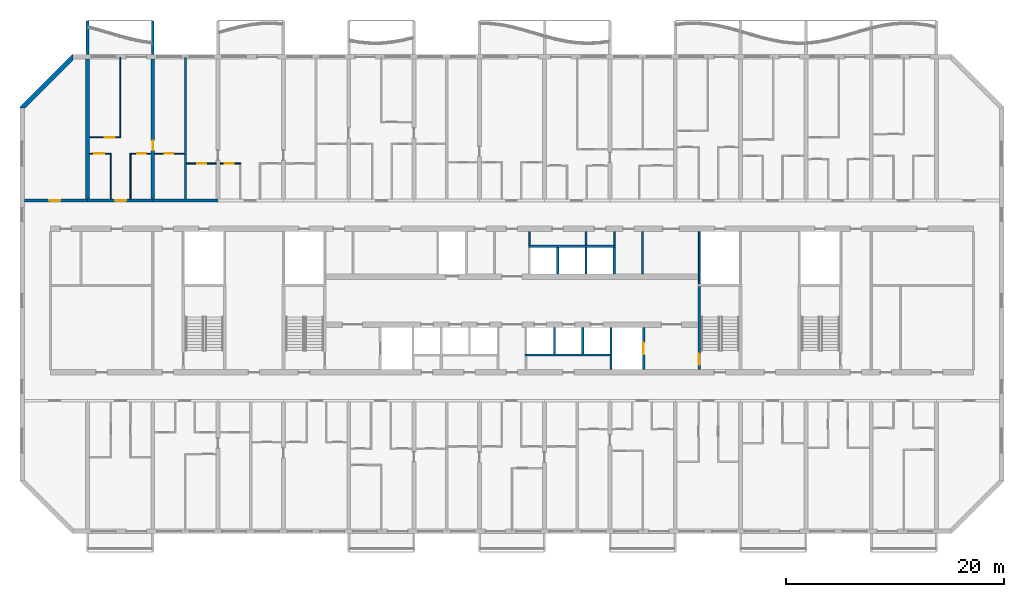
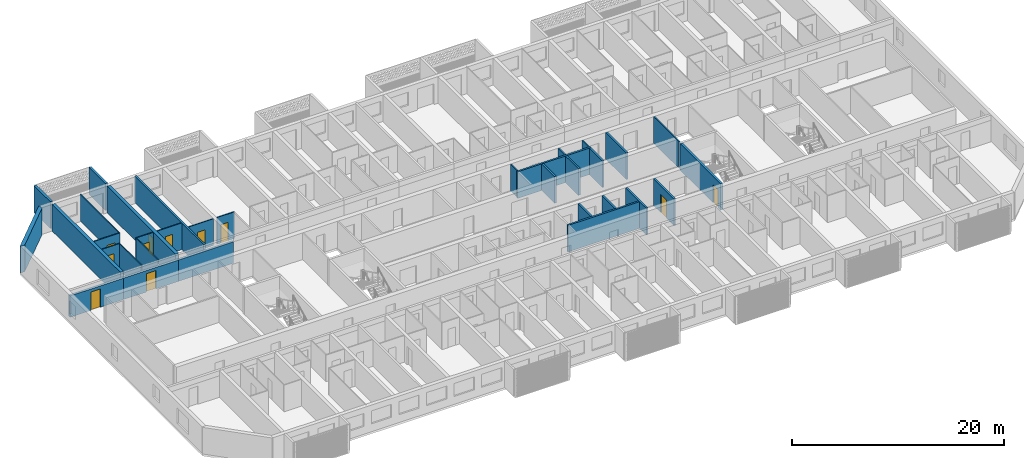
# One storey, part 9 of 30: 33 walls, 11 doors, 11 openings.
"""IFC4 building model written with IfcOpenShell, lengths in metres."""

from ifc_helpers import new_model, si_unit, direction, frame, frame_2d, origin, place, context, subcontext, project, spatial, polyline, rectangle, outline, extrude, source, transform, mapped, material, layer, layer_set, type_object, element, fill, save


model = new_model("IFC4")

# Units and contexts
model_context = context("Model", 3, precision=1e-05, world=origin(), true_north=direction((0.0, 1.0)))
body_context = subcontext(model_context, "Body", "Model", "MODEL_VIEW")
ifc_project = project(units=[si_unit("LENGTHUNIT", "METRE"), si_unit("AREAUNIT", "SQUARE_METRE"), si_unit("VOLUMEUNIT", "CUBIC_METRE"), si_unit("PLANEANGLEUNIT", "RADIAN"), si_unit("MASSUNIT", "GRAM", prefix="KILO")], contexts=[model_context])

# Site, building, storey
site_placement = place(None, origin())
site = spatial("IfcSite", under=ifc_project, at=site_placement, CompositionType="ELEMENT")
building_placement = place(site_placement, origin())
building = spatial("IfcBuilding", under=site, at=building_placement, Name="Poui Terraces", CompositionType="ELEMENT")
storey_placement = place(building_placement, frame((0.0, 0.0, 99.300048828125)))
storey = spatial("IfcBuildingStorey", under=building, at=storey_placement, Name="L27", CompositionType="ELEMENT", Elevation=99.300048828125)

# Wall
ifc_material_1 = material(Name="Fire-rated plasterboard wall")
ifc_layer_1 = layer(ifc_material_1, 0.14990234375)
ifc_layer_set_1 = layer_set([ifc_layer_1], Name="Fire-rated plasterboard wall")
wall_type_1 = type_object("IfcWallType", Name="CORRIDOR WALL 150", PredefinedType="PARTITIONING", material=ifc_layer_set_1)
wall_1_placement = place(storey_placement, frame((52.60009765625, 26.300048828125, 0.0), z_axis=(0.0, 0.0, 1.0), x_axis=(0.0, 1.0, 0.0)))
element("IfcWall", 1, at=wall_1_placement, inside=storey, type_object=wall_type_1, Name="CORRIDOR WALL 150", PredefinedType="PARTITIONING", context=body_context, shape_type="SweptSolid", body=[
    extrude(rectangle(XDim=1.239990234375, YDim=0.14990234375, at=frame_2d((0.6201171875, 0.0))), origin(), (0.0, 0.0, 1.0), 3.06005859375),
])

# Wall, opening, door
ifc_material_2 = material(Name="Concrete 65 MPa", Category="concrete")
ifc_layer_2 = layer(ifc_material_2, 0.25)
ifc_layer_set_2 = layer_set([ifc_layer_2], Name="Concrete 65 MPa")
wall_type_2 = type_object("IfcWallType", Name="CORRIDOR WALL 250 65MPa", PredefinedType="SHEAR", material=ifc_layer_set_2)
wall_2_placement = place(storey_placement, frame((6.199951171875, 30.39990234375, 0.0), z_axis=(0.0, 0.0, 1.0), x_axis=(1.0, 0.0, 0.0)))
wall_2 = element("IfcWall", 2, at=wall_2_placement, inside=storey, type_object=wall_type_2, Name="CORRIDOR WALL LINE E BAY 1", PredefinedType="SHEAR", context=body_context, shape_type="SweptSolid", body=[
    extrude(rectangle(XDim=5.800048828125, YDim=0.25, at=frame_2d((2.89990234375, 0.0))), origin(), (0.0, 0.0, 1.0), 2.4599609375),
])
opening_1_placement = place(wall_2_placement, frame((2.300048828125, 0.0, 0.0)))
opening_1 = element("IfcOpeningElement", 3, at=opening_1_placement, cuts=wall_2, Name="Opening D100", PredefinedType="OPENING", context=body_context, shape_type="SweptSolid", body=[
    extrude(rectangle(XDim=1.0, YDim=2.10009765625, at=frame_2d((0.5, 1.050048828125))), frame((0.0, 0.135009765625, 0.0), z_axis=(0.0, -1.0, 0.0), x_axis=(1.0, 0.0, 0.0)), (0.0, 0.0, 1.0), 0.27001953125),
])
ifc_material_3 = material(Name="Solid core timber door", Category="wood")
door_type_1 = type_object("IfcDoorType", Name="ACCESSIBLE INTERNAL DOOR 1000 X 2100", OperationType="NOTDEFINED", PredefinedType="DOOR", material=ifc_material_3)
door_1_placement = place(opening_1_placement, origin())
door_1 = element("IfcDoor", 4, at=door_1_placement, inside=storey, type_object=door_type_1, Name="ACCESSIBLE INTERNAL DOOR 031", OperationType="SINGLE_SWING_LEFT", OverallHeight=2.10009765625, OverallWidth=1.0, PredefinedType="DOOR", context=body_context, shape_type="SweptSolid", body=[
    extrude(rectangle(XDim=1.0, YDim=2.10009765625, at=frame_2d((0.5, 1.050048828125))), frame((0.0, 0.02490234375, 0.0), z_axis=(0.0, -1.0, 0.0), x_axis=(1.0, 0.0, 0.0)), (0.0, 0.0, 1.0), 0.050048828125),
])
fill(opening_1, door_1)

wall_3_placement = place(storey_placement, frame((12.0, 30.39990234375, 0.0), z_axis=(0.0, 0.0, 1.0), x_axis=(1.0, 0.0, 0.0)))
wall_3 = element("IfcWall", 5, at=wall_3_placement, inside=storey, type_object=wall_type_2, Name="CORRIDOR WALL LINE E BAY 2", PredefinedType="SHEAR", context=body_context, shape_type="SweptSolid", body=[
    extrude(rectangle(XDim=6.0, YDim=0.25, at=frame_2d((3.0, 0.0))), origin(), (0.0, 0.0, 1.0), 2.4599609375),
])
opening_2_placement = place(wall_3_placement, frame((2.550048828125, 0.0, 0.0)))
opening_2 = element("IfcOpeningElement", 6, at=opening_2_placement, cuts=wall_3, Name="Opening FD30S", PredefinedType="OPENING", context=body_context, shape_type="SweptSolid", body=[
    extrude(rectangle(XDim=1.0, YDim=2.10009765625, at=frame_2d((0.5, 1.050048828125))), frame((0.0, 0.135009765625, 0.0), z_axis=(0.0, -1.0, 0.0), x_axis=(1.0, 0.0, 0.0)), (0.0, 0.0, 1.0), 0.27001953125),
])
ifc_material_4 = material(Name="Steel fire door", Category="steel")
door_type_2 = type_object("IfcDoorType", Name="FLAT ENTRANCE DOOR 1000 X 2100", OperationType="NOTDEFINED", PredefinedType="DOOR", material=ifc_material_4)
door_2_placement = place(opening_2_placement, origin())
door_2 = element("IfcDoor", 7, at=door_2_placement, inside=storey, type_object=door_type_2, Name="FLAT ENTRANCE DOOR 035", OperationType="SINGLE_SWING_RIGHT", OverallHeight=2.10009765625, OverallWidth=1.0, PredefinedType="DOOR", context=body_context, shape_type="SweptSolid", body=[
    extrude(rectangle(XDim=1.0, YDim=2.10009765625, at=frame_2d((0.5, 1.050048828125))), frame((0.0, 0.02490234375, 0.0), z_axis=(0.0, -1.0, 0.0), x_axis=(1.0, 0.0, 0.0)), (0.0, 0.0, 1.0), 0.050048828125),
])
fill(opening_2, door_2)

# Walls
wall_4_placement = place(storey_placement, frame((18.0, 30.39990234375, 0.0), z_axis=(0.0, 0.0, 1.0), x_axis=(1.0, 0.0, 0.0)))
element("IfcWall", 8, at=wall_4_placement, inside=storey, type_object=wall_type_2, Name="CORRIDOR WALL LINE E BAY 3", PredefinedType="SHEAR", context=body_context, shape_type="SweptSolid", body=[
    extrude(rectangle(XDim=6.0, YDim=0.25, at=frame_2d((3.0, 0.0))), origin(), (0.0, 0.0, 1.0), 2.4599609375),
])
ifc_layer_3 = layer(ifc_material_2, 0.35009765625)
ifc_layer_set_3 = layer_set([ifc_layer_3], Name="Concrete 65 MPa")
wall_type_3 = type_object("IfcWallType", Name="CROSS WALL 350 65MPa", PredefinedType="SHEAR", material=ifc_layer_set_3)
wall_5_placement = place(storey_placement, frame((12.0, 30.52490234375, 0.0), z_axis=(0.0, 0.0, 1.0), x_axis=(0.0, 1.0, 0.0)))
element("IfcWall", 9, at=wall_5_placement, inside=storey, type_object=wall_type_3, Name="CROSS WALL LINE 3 NORTH", PredefinedType="SHEAR", context=body_context, shape_type="SweptSolid", body=[
    extrude(rectangle(XDim=12.875, YDim=0.35009765625, at=frame_2d((6.4375, 0.0))), origin(), (0.0, 0.0, 1.0), 3.06005859375),
])

# Wall, opening, door
wall_6_placement = place(storey_placement, frame((18.0, 30.52490234375, 0.0), z_axis=(0.0, 0.0, 1.0), x_axis=(0.0, 1.0, 0.0)))
wall_6 = element("IfcWall", 10, at=wall_6_placement, inside=storey, type_object=wall_type_3, Name="CROSS WALL LINE 4 NORTH", PredefinedType="SHEAR", context=body_context, shape_type="SweptSolid", body=[
    extrude(rectangle(XDim=12.875, YDim=0.35009765625, at=frame_2d((6.4375, 0.0))), origin(), (0.0, 0.0, 1.0), 3.06005859375),
])
opening_3_placement = place(wall_6_placement, frame((4.47509765625, 0.0, 0.0)))
opening_3 = element("IfcOpeningElement", 11, at=opening_3_placement, cuts=wall_6, Name="Opening D90", PredefinedType="OPENING", context=body_context, shape_type="SweptSolid", body=[
    extrude(rectangle(XDim=0.89990234375, YDim=2.10009765625, at=frame_2d((0.449951171875, 1.050048828125))), frame((0.0, 0.18505859375, 0.0), z_axis=(0.0, -1.0, 0.0), x_axis=(1.0, 0.0, 0.0)), (0.0, 0.0, 1.0), 0.3701171875),
])
door_type_3 = type_object("IfcDoorType", Name="INTERNAL DOOR 900 X 2100", OperationType="NOTDEFINED", PredefinedType="DOOR", material=ifc_material_3)
door_3_placement = place(opening_3_placement, frame((0.89990234375, 0.0, 0.0), z_axis=(0.0, 0.0, 1.0), x_axis=(-1.0, 0.0, 0.0)))
door_3 = element("IfcDoor", 12, at=door_3_placement, inside=storey, type_object=door_type_3, Name="INTERNAL DOOR 037", OperationType="SINGLE_SWING_RIGHT", OverallHeight=2.10009765625, OverallWidth=0.89990234375, PredefinedType="DOOR", context=body_context, shape_type="SweptSolid", body=[
    extrude(rectangle(XDim=0.89990234375, YDim=2.10009765625, at=frame_2d((0.449951171875, 1.050048828125))), frame((0.0, 0.02490234375, 0.0), z_axis=(0.0, -1.0, 0.0), x_axis=(1.0, 0.0, 0.0)), (0.0, 0.0, 1.0), 0.050048828125),
])
fill(opening_3, door_3)

ifc_material_5 = material(Name="Plasterboard partition")
ifc_layer_4 = layer(ifc_material_5, 0.10009765625)
ifc_layer_set_4 = layer_set([ifc_layer_4], Name="Plasterboard partition")
wall_type_4 = type_object("IfcWallType", Name="FLAT PARTITION 100", PredefinedType="PARTITIONING", material=ifc_layer_set_4)
wall_7_placement = place(storey_placement, frame((21.10009765625, 33.800048828125, 0.0), z_axis=(0.0, 0.0, 1.0), x_axis=(1.0, 0.0, 0.0)))
wall_7 = element("IfcWall", 13, at=wall_7_placement, inside=storey, type_object=wall_type_4, Name="FLAT PARTITION 100", PredefinedType="PARTITIONING", context=body_context, shape_type="SweptSolid", body=[
    extrude(rectangle(XDim=2.71484375, YDim=0.10009765625, at=frame_2d((1.357421875, 0.0))), origin(), (0.0, 0.0, 1.0), 3.06005859375),
])
opening_4_placement = place(wall_7_placement, frame((1.0, 0.0, 0.0)))
opening_4 = element("IfcOpeningElement", 14, at=opening_4_placement, cuts=wall_7, Name="Opening D80", PredefinedType="OPENING", context=body_context, shape_type="SweptSolid", body=[
    extrude(rectangle(XDim=0.800048828125, YDim=2.10009765625, at=frame_2d((0.39990234375, 1.050048828125))), frame((0.0, 0.06005859375, 0.0), z_axis=(0.0, -1.0, 0.0), x_axis=(1.0, 0.0, 0.0)), (0.0, 0.0, 1.0), 0.1201171875),
])
door_type_4 = type_object("IfcDoorType", Name="BATHROOM, LAUNDRY AND STORE DOOR 800 X 2100", OperationType="NOTDEFINED", PredefinedType="DOOR", material=ifc_material_3)
door_4_placement = place(opening_4_placement, frame((0.800048828125, 0.0, 0.0), z_axis=(0.0, 0.0, 1.0), x_axis=(-1.0, 0.0, 0.0)))
door_4 = element("IfcDoor", 15, at=door_4_placement, inside=storey, type_object=door_type_4, Name="BATHROOM, LAUNDRY AND STORE DOOR 038", OperationType="SINGLE_SWING_RIGHT", OverallHeight=2.10009765625, OverallWidth=0.800048828125, PredefinedType="DOOR", context=body_context, shape_type="SweptSolid", body=[
    extrude(rectangle(XDim=0.800048828125, YDim=2.10009765625, at=frame_2d((0.39990234375, 1.050048828125))), frame((0.0, 0.02490234375, 0.0), z_axis=(0.0, -1.0, 0.0), x_axis=(1.0, 0.0, 0.0)), (0.0, 0.0, 1.0), 0.050048828125),
])
fill(opening_4, door_4)

wall_8_placement = place(storey_placement, frame((24.18505859375, 33.800048828125, 0.0), z_axis=(0.0, 0.0, 1.0), x_axis=(1.0, 0.0, 0.0)))
wall_8 = element("IfcWall", 16, at=wall_8_placement, inside=storey, type_object=wall_type_4, Name="FLAT PARTITION 100", PredefinedType="PARTITIONING", context=body_context, shape_type="SweptSolid", body=[
    extrude(rectangle(XDim=1.9150390625, YDim=0.10009765625, at=frame_2d((0.95751953125, 0.0))), origin(), (0.0, 0.0, 1.0), 3.06005859375),
])
opening_5_placement = place(wall_8_placement, frame((0.43994140625, 0.0, 0.0)))
opening_5 = element("IfcOpeningElement", 17, at=opening_5_placement, cuts=wall_8, Name="Opening D80", PredefinedType="OPENING", context=body_context, shape_type="SweptSolid", body=[
    extrude(rectangle(XDim=0.800048828125, YDim=2.10009765625, at=frame_2d((0.39990234375, 1.050048828125))), frame((0.0, 0.06005859375, 0.0), z_axis=(0.0, -1.0, 0.0), x_axis=(1.0, 0.0, 0.0)), (0.0, 0.0, 1.0), 0.1201171875),
])
door_5_placement = place(opening_5_placement, frame((0.800048828125, 0.0, 0.0), z_axis=(0.0, 0.0, 1.0), x_axis=(-1.0, 0.0, 0.0)))
door_5 = element("IfcDoor", 18, at=door_5_placement, inside=storey, type_object=door_type_4, Name="BATHROOM, LAUNDRY AND STORE DOOR 041", OperationType="SINGLE_SWING_LEFT", OverallHeight=2.10009765625, OverallWidth=0.800048828125, PredefinedType="DOOR", context=body_context, shape_type="SweptSolid", body=[
    extrude(rectangle(XDim=0.800048828125, YDim=2.10009765625, at=frame_2d((0.39990234375, 1.050048828125))), frame((0.0, 0.02490234375, 0.0), z_axis=(0.0, -1.0, 0.0), x_axis=(1.0, 0.0, 0.0)), (0.0, 0.0, 1.0), 0.050048828125),
])
fill(opening_5, door_5)

wall_9_placement = place(storey_placement, frame((12.18505859375, 34.699951171875, 0.0), z_axis=(0.0, 0.0, 1.0), x_axis=(1.0, 0.0, 0.0)))
wall_9 = element("IfcWall", 19, at=wall_9_placement, inside=storey, type_object=wall_type_4, Name="FLAT PARTITION 100", PredefinedType="PARTITIONING", context=body_context, shape_type="SweptSolid", body=[
    extrude(rectangle(XDim=2.014892578125, YDim=0.10009765625, at=frame_2d((1.00732421875, 0.0))), origin(), (0.0, 0.0, 1.0), 3.06005859375),
])
opening_6_placement = place(wall_9_placement, frame((0.43994140625, 0.0, 0.0)))
opening_6 = element("IfcOpeningElement", 20, at=opening_6_placement, cuts=wall_9, Name="Opening D90", PredefinedType="OPENING", context=body_context, shape_type="SweptSolid", body=[
    extrude(rectangle(XDim=0.89990234375, YDim=2.10009765625, at=frame_2d((0.449951171875, 1.050048828125))), frame((0.0, 0.06005859375, 0.0), z_axis=(0.0, -1.0, 0.0), x_axis=(1.0, 0.0, 0.0)), (0.0, 0.0, 1.0), 0.1201171875),
])
door_6_placement = place(opening_6_placement, frame((0.89990234375, 0.0, 0.0), z_axis=(0.0, 0.0, 1.0), x_axis=(-1.0, 0.0, 0.0)))
door_6 = element("IfcDoor", 21, at=door_6_placement, inside=storey, type_object=door_type_3, Name="INTERNAL DOOR 033", OperationType="SINGLE_SWING_LEFT", OverallHeight=2.10009765625, OverallWidth=0.89990234375, PredefinedType="DOOR", context=body_context, shape_type="SweptSolid", body=[
    extrude(rectangle(XDim=0.89990234375, YDim=2.10009765625, at=frame_2d((0.449951171875, 1.050048828125))), frame((0.0, 0.02490234375, 0.0), z_axis=(0.0, -1.0, 0.0), x_axis=(1.0, 0.0, 0.0)), (0.0, 0.0, 1.0), 0.050048828125),
])
fill(opening_6, door_6)

wall_10_placement = place(storey_placement, frame((15.89990234375, 34.699951171875, 0.0), z_axis=(0.0, 0.0, 1.0), x_axis=(1.0, 0.0, 0.0)))
wall_10 = element("IfcWall", 22, at=wall_10_placement, inside=storey, type_object=wall_type_4, Name="FLAT PARTITION 100", PredefinedType="PARTITIONING", context=body_context, shape_type="SweptSolid", body=[
    extrude(rectangle(XDim=1.9150390625, YDim=0.10009765625, at=frame_2d((0.95751953125, 0.0))), origin(), (0.0, 0.0, 1.0), 3.06005859375),
])
opening_7_placement = place(wall_10_placement, frame((0.675048828125, 0.0, 0.0)))
opening_7 = element("IfcOpeningElement", 23, at=opening_7_placement, cuts=wall_10, Name="Opening D80", PredefinedType="OPENING", context=body_context, shape_type="SweptSolid", body=[
    extrude(rectangle(XDim=0.800048828125, YDim=2.10009765625, at=frame_2d((0.39990234375, 1.050048828125))), frame((0.0, 0.06005859375, 0.0), z_axis=(0.0, -1.0, 0.0), x_axis=(1.0, 0.0, 0.0)), (0.0, 0.0, 1.0), 0.1201171875),
])
door_7_placement = place(opening_7_placement, frame((0.800048828125, 0.0, 0.0), z_axis=(0.0, 0.0, 1.0), x_axis=(-1.0, 0.0, 0.0)))
door_7 = element("IfcDoor", 24, at=door_7_placement, inside=storey, type_object=door_type_4, Name="BATHROOM, LAUNDRY AND STORE DOOR 036", OperationType="SINGLE_SWING_RIGHT", OverallHeight=2.10009765625, OverallWidth=0.800048828125, PredefinedType="DOOR", context=body_context, shape_type="SweptSolid", body=[
    extrude(rectangle(XDim=0.800048828125, YDim=2.10009765625, at=frame_2d((0.39990234375, 1.050048828125))), frame((0.0, 0.02490234375, 0.0), z_axis=(0.0, -1.0, 0.0), x_axis=(1.0, 0.0, 0.0)), (0.0, 0.0, 1.0), 0.050048828125),
])
fill(opening_7, door_7)

wall_11_placement = place(storey_placement, frame((18.18505859375, 34.699951171875, 0.0), z_axis=(0.0, 0.0, 1.0), x_axis=(1.0, 0.0, 0.0)))
wall_11 = element("IfcWall", 25, at=wall_11_placement, inside=storey, type_object=wall_type_4, Name="FLAT PARTITION 100", PredefinedType="PARTITIONING", context=body_context, shape_type="SweptSolid", body=[
    extrude(rectangle(XDim=2.71484375, YDim=0.10009765625, at=frame_2d((1.357421875, 0.0))), origin(), (0.0, 0.0, 1.0), 3.06005859375),
])
opening_8_placement = place(wall_11_placement, frame((0.9150390625, 0.0, 0.0)))
opening_8 = element("IfcOpeningElement", 26, at=opening_8_placement, cuts=wall_11, Name="Opening D80", PredefinedType="OPENING", context=body_context, shape_type="SweptSolid", body=[
    extrude(rectangle(XDim=0.800048828125, YDim=2.10009765625, at=frame_2d((0.39990234375, 1.050048828125))), frame((0.0, 0.06005859375, 0.0), z_axis=(0.0, -1.0, 0.0), x_axis=(1.0, 0.0, 0.0)), (0.0, 0.0, 1.0), 0.1201171875),
])
door_8_placement = place(opening_8_placement, frame((0.800048828125, 0.0, 0.0), z_axis=(0.0, 0.0, 1.0), x_axis=(-1.0, 0.0, 0.0)))
door_8 = element("IfcDoor", 27, at=door_8_placement, inside=storey, type_object=door_type_4, Name="BATHROOM, LAUNDRY AND STORE DOOR 032", OperationType="SINGLE_SWING_LEFT", OverallHeight=2.10009765625, OverallWidth=0.800048828125, PredefinedType="DOOR", context=body_context, shape_type="SweptSolid", body=[
    extrude(rectangle(XDim=0.800048828125, YDim=2.10009765625, at=frame_2d((0.39990234375, 1.050048828125))), frame((0.0, 0.02490234375, 0.0), z_axis=(0.0, -1.0, 0.0), x_axis=(1.0, 0.0, 0.0)), (0.0, 0.0, 1.0), 0.050048828125),
])
fill(opening_8, door_8)

wall_12_placement = place(storey_placement, frame((12.18505859375, 36.199951171875, 0.0), z_axis=(0.0, 0.0, 1.0), x_axis=(1.0, 0.0, 0.0)))
wall_12 = element("IfcWall", 28, at=wall_12_placement, inside=storey, type_object=wall_type_4, Name="FLAT PARTITION 100", PredefinedType="PARTITIONING", context=body_context, shape_type="SweptSolid", body=[
    extrude(rectangle(XDim=2.864990234375, YDim=0.10009765625, at=frame_2d((1.4326171875, 0.0))), origin(), (0.0, 0.0, 1.0), 3.06005859375),
])
opening_9_placement = place(wall_12_placement, frame((1.4150390625, 0.0, 0.0)))
opening_9 = element("IfcOpeningElement", 29, at=opening_9_placement, cuts=wall_12, Name="Opening D90", PredefinedType="OPENING", context=body_context, shape_type="SweptSolid", body=[
    extrude(rectangle(XDim=0.89990234375, YDim=2.10009765625, at=frame_2d((0.449951171875, 1.050048828125))), frame((0.0, 0.06005859375, 0.0), z_axis=(0.0, -1.0, 0.0), x_axis=(1.0, 0.0, 0.0)), (0.0, 0.0, 1.0), 0.1201171875),
])
door_9_placement = place(opening_9_placement, frame((0.89990234375, 0.0, 0.0), z_axis=(0.0, 0.0, 1.0), x_axis=(-1.0, 0.0, 0.0)))
door_9 = element("IfcDoor", 30, at=door_9_placement, inside=storey, type_object=door_type_3, Name="INTERNAL DOOR 034", OperationType="SINGLE_SWING_RIGHT", OverallHeight=2.10009765625, OverallWidth=0.89990234375, PredefinedType="DOOR", context=body_context, shape_type="SweptSolid", body=[
    extrude(rectangle(XDim=0.89990234375, YDim=2.10009765625, at=frame_2d((0.449951171875, 1.050048828125))), frame((0.0, 0.02490234375, 0.0), z_axis=(0.0, -1.0, 0.0), x_axis=(1.0, 0.0, 0.0)), (0.0, 0.0, 1.0), 0.050048828125),
])
fill(opening_9, door_9)

# Walls
wall_13_placement = place(storey_placement, frame((14.14990234375, 30.534912109375, 0.0), z_axis=(0.0, 0.0, 1.0), x_axis=(0.0, 1.0, 0.0)))
element("IfcWall", 31, at=wall_13_placement, inside=storey, type_object=wall_type_4, Name="FLAT PARTITION 100", PredefinedType="PARTITIONING", context=body_context, shape_type="SweptSolid", body=[
    extrude(rectangle(XDim=4.114990234375, YDim=0.10009765625, at=frame_2d((2.0576171875, 0.0))), origin(), (0.0, 0.0, 1.0), 3.06005859375),
])
wall_14_placement = place(storey_placement, frame((15.0, 36.25, 0.0), z_axis=(0.0, 0.0, 1.0), x_axis=(0.0, 1.0, 0.0)))
element("IfcWall", 32, at=wall_14_placement, inside=storey, type_object=wall_type_4, Name="FLAT PARTITION 100", PredefinedType="PARTITIONING", context=body_context, shape_type="SweptSolid", body=[
    extrude(rectangle(XDim=7.2900390625, YDim=0.10009765625, at=frame_2d((3.64501953125, 0.0))), origin(), (0.0, 0.0, 1.0), 3.06005859375),
])
wall_15_placement = place(storey_placement, frame((15.949951171875, 30.534912109375, 0.0), z_axis=(0.0, 0.0, 1.0), x_axis=(0.0, 1.0, 0.0)))
element("IfcWall", 33, at=wall_15_placement, inside=storey, type_object=wall_type_4, Name="FLAT PARTITION 100", PredefinedType="PARTITIONING", context=body_context, shape_type="SweptSolid", body=[
    extrude(rectangle(XDim=4.114990234375, YDim=0.10009765625, at=frame_2d((2.0576171875, 0.0))), origin(), (0.0, 0.0, 1.0), 3.06005859375),
])
ifc_material_6 = material(Name="Fire-rated masonry wall", Category="masonry")
ifc_layer_5 = layer(ifc_material_6, 0.199951171875)
ifc_layer_set_5 = layer_set([ifc_layer_5], Name="Fire-rated masonry wall")
wall_type_5 = type_object("IfcWallType", Name="FLAT PARTY WALL 200", PredefinedType="PARTITIONING", material=ifc_layer_set_5)
wall_16_placement = place(storey_placement, frame((21.0, 30.534912109375, 0.0), z_axis=(0.0, 0.0, 1.0), x_axis=(0.0, 1.0, 0.0)))
element("IfcWall", 34, at=wall_16_placement, inside=storey, type_object=wall_type_5, Name="FLAT PARTY WALL 200", PredefinedType="PARTITIONING", context=body_context, shape_type="SweptSolid", body=[
    extrude(rectangle(XDim=13.005126953125, YDim=0.199951171875, at=frame_2d((6.50244140625, 0.0))), origin(), (0.0, 0.0, 1.0), 3.06005859375),
])
ifc_layer_6 = layer(ifc_material_5, 0.14990234375)
ifc_layer_set_6 = layer_set([ifc_layer_6], Name="Plasterboard partition")
wall_type_6 = type_object("IfcWallType", Name="PARTITION WALL 150", PredefinedType="PARTITIONING", material=ifc_layer_set_6)
for number, where, z_axis, x_axis, name in (
    (35, (57.800048828125, 26.300048828125, 0.0), (0.0, 0.0, 1.0), (0.0, 1.0, 0.0), "PARTITION WALL 150"),
    (36, (60.39990234375, 26.300048828125, 0.0), (0.0, 0.0, 1.0), (0.0, 1.0, 0.0), "PARTITION WALL 150"),
):
    element("IfcWall", number, at=place(storey_placement, frame(where, z_axis=z_axis, x_axis=x_axis)), inside=storey, type_object=wall_type_6, Name=name, PredefinedType="PARTITIONING", context=body_context, shape_type="SweptSolid", body=[
        extrude(rectangle(XDim=1.239990234375, YDim=0.14990234375, at=frame_2d((0.6201171875, 0.0))), origin(), (0.0, 0.0, 1.0), 3.06005859375),
    ])
ifc_layer_7 = layer(ifc_material_6, 0.199951171875)
ifc_layer_set_7 = layer_set([ifc_layer_7], Name="Fire-rated masonry wall")
wall_type_7 = type_object("IfcWallType", Name="PLANT ROOM WALL 200", PredefinedType="PARTITIONING", material=ifc_layer_set_7)
wall_17_placement = place(storey_placement, frame((63.0, 23.659912109375, 0.0), z_axis=(0.0, 0.0, 1.0), x_axis=(0.0, 1.0, 0.0)))
element("IfcWall", 37, at=wall_17_placement, inside=storey, type_object=wall_type_7, Name="PLANT ROOM WALL 200", PredefinedType="PARTITIONING", context=body_context, shape_type="SweptSolid", body=[
    extrude(rectangle(XDim=3.880126953125, YDim=0.199951171875, at=frame_2d((1.93994140625, 0.0))), origin(), (0.0, 0.0, 1.0), 3.06005859375),
])
ifc_material_7 = material(Name="Fire-rated plasterboard riser wall")
ifc_layer_8 = layer(ifc_material_7, 0.14990234375)
ifc_layer_set_8 = layer_set([ifc_layer_8], Name="Fire-rated plasterboard riser wall")
wall_type_8 = type_object("IfcWallType", Name="RISER WALL 150", PredefinedType="PARTITIONING", material=ifc_layer_set_8)
wall_18_placement = place(storey_placement, frame((68.199951171875, 22.735107421875, 0.0), z_axis=(0.0, 0.0, 1.0), x_axis=(0.0, 1.0, 0.0)))
element("IfcWall", 38, at=wall_18_placement, inside=storey, type_object=wall_type_8, Name="RISER WALL 150", PredefinedType="PARTITIONING", context=body_context, shape_type="SweptSolid", body=[
    extrude(rectangle(XDim=4.804931640625, YDim=0.14990234375, at=frame_2d((2.40234375, 0.0))), origin(), (0.0, 0.0, 1.0), 3.06005859375),
])
ifc_material_8 = material(Name="Fire-rated masonry shaft wall", Category="masonry")
ifc_layer_9 = layer(ifc_material_8, 0.199951171875)
ifc_layer_set_9 = layer_set([ifc_layer_9], Name="Fire-rated masonry shaft wall")
wall_type_9 = type_object("IfcWallType", Name="SHAFT WALL 200", PredefinedType="PARTITIONING", material=ifc_layer_set_9)
wall_19_placement = place(storey_placement, frame((52.199951171875, 16.199951171875, 0.0), z_axis=(0.0, 0.0, 1.0), x_axis=(1.0, 0.0, 0.0)))
element("IfcWall", 39, at=wall_19_placement, inside=storey, type_object=wall_type_9, Name="SHAFT WALL 200", PredefinedType="PARTITIONING", context=body_context, shape_type="SweptSolid", body=[
    extrude(rectangle(XDim=7.800048828125, YDim=0.199951171875, at=frame_2d((3.89990234375, 0.0))), origin(), (0.0, 0.0, 1.0), 3.06005859375),
])
wall_20_placement = place(storey_placement, frame((52.5, 26.199951171875, 0.0), z_axis=(0.0, 0.0, 1.0), x_axis=(1.0, 0.0, 0.0)))
element("IfcWall", 40, at=wall_20_placement, inside=storey, type_object=wall_type_9, Name="SHAFT WALL 200", PredefinedType="PARTITIONING", context=body_context, shape_type="SweptSolid", body=[
    extrude(rectangle(XDim=8.0, YDim=0.199951171875, at=frame_2d((4.0, 0.0))), origin(), (0.0, 0.0, 1.0), 3.06005859375),
])
wall_21_placement = place(storey_placement, frame((54.89990234375, 16.300048828125, 0.0), z_axis=(0.0, 0.0, 1.0), x_axis=(0.0, 1.0, 0.0)))
element("IfcWall", 41, at=wall_21_placement, inside=storey, type_object=wall_type_9, Name="SHAFT WALL 200", PredefinedType="PARTITIONING", context=body_context, shape_type="SweptSolid", body=[
    extrude(rectangle(XDim=2.43994140625, YDim=0.199951171875, at=frame_2d((1.219970703125, 0.0))), origin(), (0.0, 0.0, 1.0), 3.06005859375),
])
wall_22_placement = place(storey_placement, frame((55.199951171875, 23.659912109375, 0.0), z_axis=(0.0, 0.0, 1.0), x_axis=(0.0, 1.0, 0.0)))
element("IfcWall", 42, at=wall_22_placement, inside=storey, type_object=wall_type_9, Name="SHAFT WALL 200", PredefinedType="PARTITIONING", context=body_context, shape_type="SweptSolid", body=[
    extrude(rectangle(XDim=2.440185546875, YDim=0.199951171875, at=frame_2d((1.22021484375, 0.0))), origin(), (0.0, 0.0, 1.0), 3.06005859375),
])
wall_23_placement = place(storey_placement, frame((57.5, 16.300048828125, 0.0), z_axis=(0.0, 0.0, 1.0), x_axis=(0.0, 1.0, 0.0)))
element("IfcWall", 43, at=wall_23_placement, inside=storey, type_object=wall_type_9, Name="SHAFT WALL 200", PredefinedType="PARTITIONING", context=body_context, shape_type="SweptSolid", body=[
    extrude(rectangle(XDim=2.43994140625, YDim=0.199951171875, at=frame_2d((1.219970703125, 0.0))), origin(), (0.0, 0.0, 1.0), 3.06005859375),
])
wall_24_placement = place(storey_placement, frame((57.800048828125, 23.659912109375, 0.0), z_axis=(0.0, 0.0, 1.0), x_axis=(0.0, 1.0, 0.0)))
element("IfcWall", 44, at=wall_24_placement, inside=storey, type_object=wall_type_9, Name="SHAFT WALL 200", PredefinedType="PARTITIONING", context=body_context, shape_type="SweptSolid", body=[
    extrude(rectangle(XDim=2.440185546875, YDim=0.199951171875, at=frame_2d((1.22021484375, 0.0))), origin(), (0.0, 0.0, 1.0), 3.06005859375),
])
wall_25_placement = place(storey_placement, frame((60.10009765625, 14.860107421875, 0.0), z_axis=(0.0, 0.0, 1.0), x_axis=(0.0, 1.0, 0.0)))
element("IfcWall", 45, at=wall_25_placement, inside=storey, type_object=wall_type_9, Name="SHAFT WALL 200", PredefinedType="PARTITIONING", context=body_context, shape_type="SweptSolid", body=[
    extrude(rectangle(XDim=3.8798828125, YDim=0.199951171875, at=frame_2d((1.93994140625, 0.0))), origin(), (0.0, 0.0, 1.0), 3.06005859375),
])
wall_26_placement = place(storey_placement, frame((60.39990234375, 23.659912109375, 0.0), z_axis=(0.0, 0.0, 1.0), x_axis=(0.0, 1.0, 0.0)))
element("IfcWall", 46, at=wall_26_placement, inside=storey, type_object=wall_type_9, Name="SHAFT WALL 200", PredefinedType="PARTITIONING", context=body_context, shape_type="SweptSolid", body=[
    extrude(rectangle(XDim=2.440185546875, YDim=0.199951171875, at=frame_2d((1.22021484375, 0.0))), origin(), (0.0, 0.0, 1.0), 3.06005859375),
])

# Wall, opening, door
wall_27_placement = place(storey_placement, frame((63.10009765625, 14.860107421875, 0.0), z_axis=(0.0, 0.0, 1.0), x_axis=(0.0, 1.0, 0.0)))
wall_27 = element("IfcWall", 47, at=wall_27_placement, inside=storey, type_object=wall_type_9, Name="SHAFT WALL 200", PredefinedType="PARTITIONING", context=body_context, shape_type="SweptSolid", body=[
    extrude(rectangle(XDim=3.8798828125, YDim=0.199951171875, at=frame_2d((1.93994140625, 0.0))), origin(), (0.0, 0.0, 1.0), 3.06005859375),
])
opening_10_placement = place(wall_27_placement, frame((1.389892578125, 0.0, 0.0)))
opening_10 = element("IfcOpeningElement", 48, at=opening_10_placement, cuts=wall_27, Name="Opening LD", PredefinedType="OPENING", context=body_context, shape_type="SweptSolid", body=[
    extrude(rectangle(XDim=1.10009765625, YDim=2.10009765625, at=frame_2d((0.550048828125, 1.050048828125))), frame((0.0, 0.10986328125, 0.0), z_axis=(0.0, -1.0, 0.0), x_axis=(1.0, 0.0, 0.0)), (0.0, 0.0, 1.0), 0.219970703125),
])
ifc_material_9 = material(Name="Stainless steel sliding door", Category="steel")
door_type_5 = type_object("IfcDoorType", Name="LIFT LANDING DOOR 1100 X 2100", OperationType="DOUBLE_DOOR_SLIDING", PredefinedType="DOOR", material=ifc_material_9)
door_10_placement = place(opening_10_placement, origin())
door_10 = element("IfcDoor", 49, at=door_10_placement, inside=storey, type_object=door_type_5, Name="LANDING DOOR", OperationType="DOUBLE_DOOR_SLIDING", OverallHeight=2.10009765625, OverallWidth=1.10009765625, PredefinedType="DOOR", context=body_context, shape_type="SweptSolid", body=[
    extrude(rectangle(XDim=1.10009765625, YDim=2.10009765625, at=frame_2d((0.550048828125, 1.050048828125))), frame((0.0, 0.02490234375, 0.0), z_axis=(0.0, -1.0, 0.0), x_axis=(1.0, 0.0, 0.0)), (0.0, 0.0, 1.0), 0.050048828125),
])
fill(opening_10, door_10)

ifc_layer_10 = layer(ifc_material_2, 0.25)
ifc_layer_set_10 = layer_set([ifc_layer_10], Name="Concrete 65 MPa")
wall_type_10 = type_object("IfcWallType", Name="STAIR CORE WALL 250 65 MPA", PredefinedType="SOLIDWALL", material=ifc_layer_set_10)
wall_28_placement = place(storey_placement, frame((68.199951171875, 14.85009765625, 0.0), z_axis=(0.0, 0.0, 1.0), x_axis=(0.0, 1.0, 0.0)))
wall_28 = element("IfcWall", 50, at=wall_28_placement, inside=storey, type_object=wall_type_10, Name="STAIR CORE WALL", PredefinedType="SOLIDWALL", context=body_context, shape_type="SweptSolid", body=[
    extrude(rectangle(XDim=7.625, YDim=0.25, at=frame_2d((3.8125, 0.0))), origin(), (0.0, 0.0, 1.0), 3.06005859375),
])
opening_11_placement = place(wall_28_placement, frame((0.449951171875, 0.0, 0.0)))
opening_11 = element("IfcOpeningElement", 51, at=opening_11_placement, cuts=wall_28, Name="Opening FD60S", PredefinedType="OPENING", context=body_context, shape_type="SweptSolid", body=[
    extrude(rectangle(XDim=1.0, YDim=2.10009765625, at=frame_2d((0.5, 1.050048828125))), frame((0.0, 0.135009765625, 0.0), z_axis=(0.0, -1.0, 0.0), x_axis=(1.0, 0.0, 0.0)), (0.0, 0.0, 1.0), 0.27001953125),
])
door_type_6 = type_object("IfcDoorType", Name="STAIR DOOR 1000 X 2100", OperationType="NOTDEFINED", PredefinedType="DOOR", material=ifc_material_4)
door_11_placement = place(opening_11_placement, frame((1.0, 0.0, 0.0), z_axis=(0.0, 0.0, 1.0), x_axis=(-1.0, 0.0, 0.0)))
door_11 = element("IfcDoor", 52, at=door_11_placement, inside=storey, type_object=door_type_6, Name="STAIR DOOR 133", OperationType="SINGLE_SWING_LEFT", OverallHeight=2.10009765625, OverallWidth=1.0, PredefinedType="DOOR", context=body_context, shape_type="SweptSolid", body=[
    extrude(rectangle(XDim=1.0, YDim=2.10009765625, at=frame_2d((0.5, 1.050048828125))), frame((0.0, 0.02490234375, 0.0), z_axis=(0.0, -1.0, 0.0), x_axis=(1.0, 0.0, 0.0)), (0.0, 0.0, 1.0), 0.050048828125),
])
fill(opening_11, door_11)

# Walls
ifc_material_10 = material(Name="Precast concrete 40 MPa", Category="concrete")
ifc_layer_11 = layer(ifc_material_10, 0.39990234375)
ifc_layer_set_11 = layer_set([ifc_layer_11], Name="Precast concrete 40 MPa")
wall_type_11 = type_object("IfcWallType", Name="TERRACOTTA CLAD CHAMFER WALL 400", PredefinedType="STANDARD", material=ifc_layer_set_11)
wall_29_placement = place(storey_placement, origin())
element("IfcWall", 53, at=wall_29_placement, inside=storey, type_object=wall_type_11, Name="CHAMFER WALL CH05", PredefinedType="STANDARD", context=body_context, shape_type="SweptSolid", body=[
    extrude(outline(polyline([(10.682861328125, 43.800048828125), (10.60009765625, 43.800048828125), (5.800048828125, 39.0), (5.800048828125, 38.917236328125), (6.28271484375, 38.917236328125), (10.682861328125, 43.317138671875), (10.682861328125, 43.800048828125)])), origin(), (0.0, 0.0, 1.0), 3.06005859375),
])
ifc_layer_12 = layer(ifc_material_10, 0.25)
ifc_layer_set_12 = layer_set([ifc_layer_12], Name="Precast concrete 40 MPa")
wall_type_12 = type_object("IfcWallType", Name="BALCONY FIN 250", PredefinedType="STANDARD", material=ifc_layer_set_12)
shared_shape = source(origin(), body_context, "Body", "SweptSolid", [
    extrude(outline(polyline([(0.0, 0.0), (0.25, 0.0), (0.25, 3.099853515625), (0.0, 3.099853515625), (0.0, 0.0)])), origin(), (0.0, 0.0, 1.0), 3.099853515625),
])
for number, where, name in (
    (54, (11.875, 43.800048828125, 0.0), "BALCONY FIN"),
    (55, (17.875, 43.800048828125, 0.0), "BALCONY FIN"),
):
    element("IfcWall", number, at=place(storey_placement, frame(where)), inside=storey, type_object=wall_type_12, Name=name, PredefinedType="STANDARD", context=body_context, shape_type="MappedRepresentation", body=[
        mapped(shared_shape, transform((0.0, 0.0, 0.0))),
    ])

save(model, "model.ifc")
